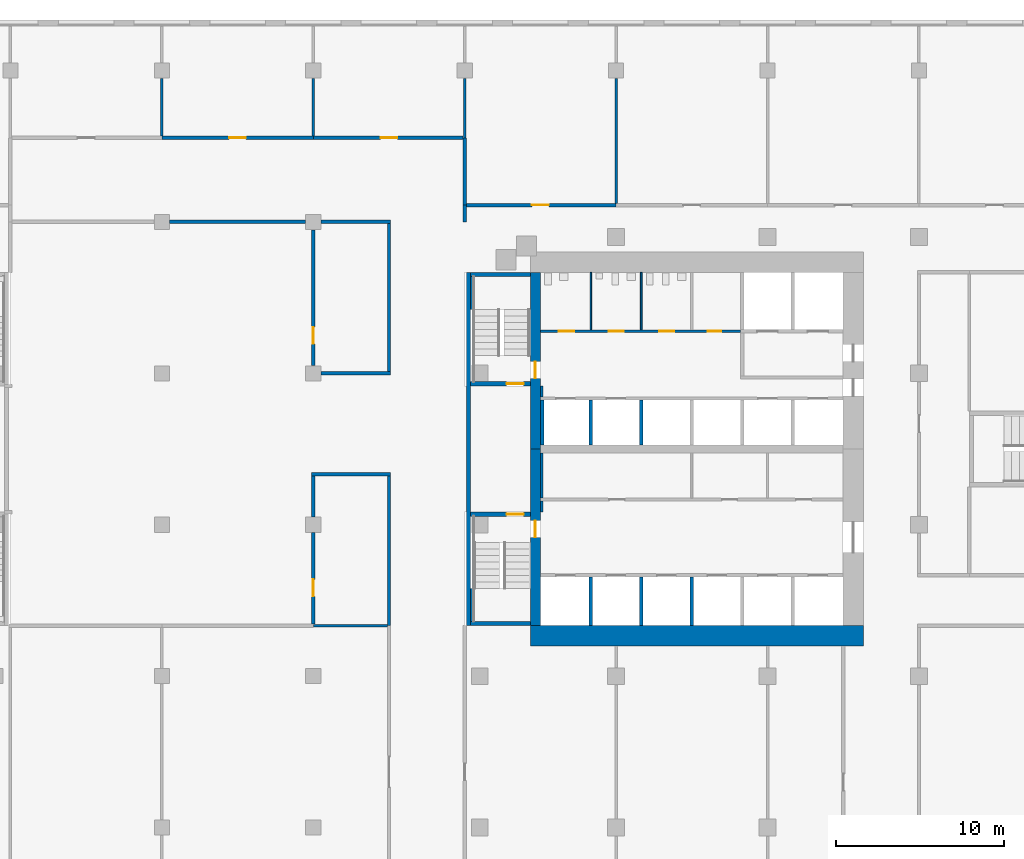
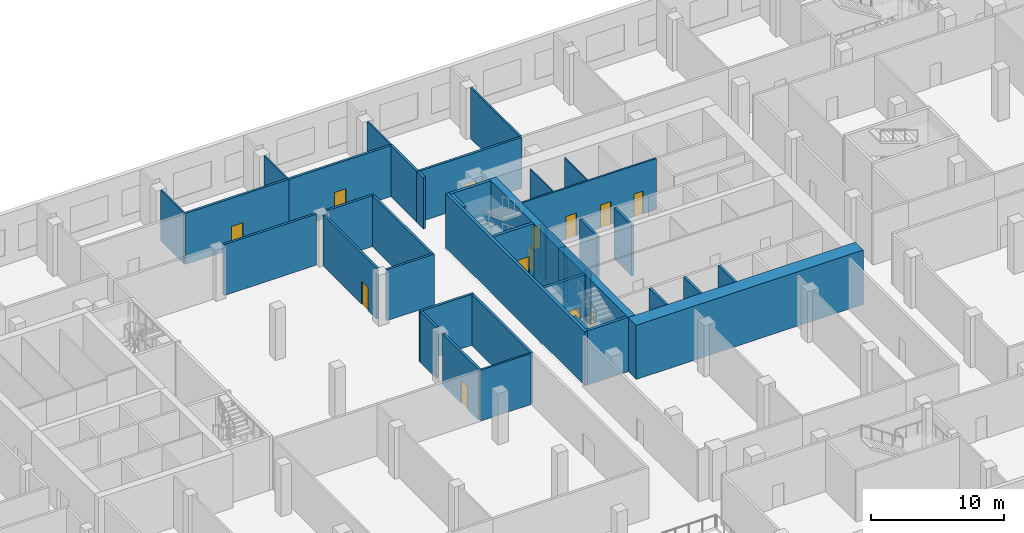
# One storey, part 12 of 23: 41 walls, 13 doors, 13 openings.
"""IFC4 building model written with IfcOpenShell, lengths in metres."""

from ifc_helpers import new_model, si_unit, direction, frame, frame_2d, origin, place, context, subcontext, project, spatial, rectangle, extrude, material, layer, layer_set, type_object, element, fill, save


model = new_model("IFC4")

# Units and contexts
model_context = context("Model", 3, precision=1e-05, world=origin(), true_north=direction((0.0, 1.0)))
body_context = subcontext(model_context, "Body", "Model", "MODEL_VIEW")
ifc_project = project(units=[si_unit("LENGTHUNIT", "METRE"), si_unit("AREAUNIT", "SQUARE_METRE"), si_unit("VOLUMEUNIT", "CUBIC_METRE"), si_unit("PLANEANGLEUNIT", "RADIAN"), si_unit("MASSUNIT", "GRAM", prefix="KILO")], contexts=[model_context])

# Site, building, storey
site_placement = place(None, origin())
site = spatial("IfcSite", under=ifc_project, at=site_placement, CompositionType="ELEMENT")
building_placement = place(site_placement, origin())
building = spatial("IfcBuilding", under=site, at=building_placement, Name="Cinnabar Reach Civic Tower", CompositionType="ELEMENT")
storey_placement = place(building_placement, frame((0.0, 0.0, 6.0)))
storey = spatial("IfcBuildingStorey", under=building, at=storey_placement, Name="L01", CompositionType="ELEMENT", Elevation=6.0)

# Wall
ifc_material_1 = material(Name="Concrete C70", Category="concrete")
ifc_layer_1 = layer(ifc_material_1, 1.2)
ifc_layer_set_1 = layer_set([ifc_layer_1], Name="Core wall 1200 EI 180")
wall_type_1 = type_object("IfcWallType", Name="Core wall 1200 EI 180", PredefinedType="SOLIDWALL", material=ifc_layer_set_1)
wall_1_placement = place(storey_placement, frame((3.9, 20.4, 0.0), z_axis=(0.0, 0.0, 1.0), x_axis=(1.0, 0.0, 0.0)))
element("IfcWall", 1, at=wall_1_placement, inside=storey, type_object=wall_type_1, Name="Core wall T1 L01 S", PredefinedType="SOLIDWALL", context=body_context, shape_type="SweptSolid", body=[
    extrude(rectangle(XDim=19.8, YDim=1.2, at=frame_2d((9.9, 0.0))), origin(), (0.0, 0.0, 1.0), 5.0),
])

# Wall, opening, door
ifc_layer_2 = layer(ifc_material_1, 0.6)
ifc_layer_set_2 = layer_set([ifc_layer_2], Name="Core wall 600 EI 180")
wall_type_2 = type_object("IfcWallType", Name="Core wall 600 EI 180", PredefinedType="SOLIDWALL", material=ifc_layer_set_2)
wall_2_placement = place(storey_placement, frame((4.2, 42.0, 0.0), z_axis=(0.0, 0.0, 1.0), x_axis=(0.0, -1.0, 0.0)))
wall_2 = element("IfcWall", 2, at=wall_2_placement, inside=storey, type_object=wall_type_2, Name="Core wall T1 L01 W", PredefinedType="SOLIDWALL", context=body_context, shape_type="SweptSolid", body=[
    extrude(rectangle(XDim=10.5, YDim=0.6, at=frame_2d((5.25, 0.0))), origin(), (0.0, 0.0, 1.0), 5.0),
])
opening_1_placement = place(wall_2_placement, frame((5.3, 0.0, 0.0)))
opening_1 = element("IfcOpeningElement", 3, at=opening_1_placement, cuts=wall_2, Name="Opening D3088", PredefinedType="OPENING", context=body_context, shape_type="SweptSolid", body=[
    extrude(rectangle(XDim=1.0, YDim=2.1, at=frame_2d((0.5, 1.05))), frame((0.0, 0.31, 0.0), z_axis=(0.0, -1.0, 0.0), x_axis=(1.0, 0.0, 0.0)), (0.0, 0.0, 1.0), 0.62),
])
ifc_material_2 = material(Name="Timber door leaf in steel frame", Category="steel")
door_type_1 = type_object("IfcDoorType", Name="Stair door 1000 x 2100 T1", OperationType="SINGLE_SWING_LEFT", PredefinedType="DOOR", material=ifc_material_2)
door_1_placement = place(opening_1_placement, frame((1.0, 0.0, 0.0), z_axis=(0.0, 0.0, 1.0), x_axis=(-1.0, 0.0, 0.0)))
door_1 = element("IfcDoor", 4, at=door_1_placement, inside=storey, type_object=door_type_1, Name="Door D3088", OperationType="SINGLE_SWING_LEFT", OverallHeight=2.1, OverallWidth=1.0, PredefinedType="DOOR", context=body_context, shape_type="SweptSolid", body=[
    extrude(rectangle(XDim=1.0, YDim=2.1, at=frame_2d((0.5, 1.05))), frame((0.0, 0.025, 0.0), z_axis=(0.0, -1.0, 0.0), x_axis=(1.0, 0.0, 0.0)), (0.0, 0.0, 1.0), 0.05),
])
fill(opening_1, door_1)

wall_3_placement = place(storey_placement, frame((4.2, 31.5, 0.0), z_axis=(0.0, 0.0, 1.0), x_axis=(0.0, -1.0, 0.0)))
wall_3 = element("IfcWall", 5, at=wall_3_placement, inside=storey, type_object=wall_type_2, Name="Core wall T1 L01 W2", PredefinedType="SOLIDWALL", context=body_context, shape_type="SweptSolid", body=[
    extrude(rectangle(XDim=10.5, YDim=0.6, at=frame_2d((5.25, 0.0))), origin(), (0.0, 0.0, 1.0), 5.0),
])
opening_2_placement = place(wall_3_placement, frame((4.25, 0.0, 0.0)))
opening_2 = element("IfcOpeningElement", 6, at=opening_2_placement, cuts=wall_3, Name="Opening D3086", PredefinedType="OPENING", context=body_context, shape_type="SweptSolid", body=[
    extrude(rectangle(XDim=1.0, YDim=2.1, at=frame_2d((0.5, 1.05))), frame((0.0, 0.31, 0.0), z_axis=(0.0, -1.0, 0.0), x_axis=(1.0, 0.0, 0.0)), (0.0, 0.0, 1.0), 0.62),
])
door_2_placement = place(opening_2_placement, frame((1.0, 0.0, 0.0), z_axis=(0.0, 0.0, 1.0), x_axis=(-1.0, 0.0, 0.0)))
door_2 = element("IfcDoor", 7, at=door_2_placement, inside=storey, type_object=door_type_1, Name="Door D3086", OperationType="SINGLE_SWING_RIGHT", OverallHeight=2.1, OverallWidth=1.0, PredefinedType="DOOR", context=body_context, shape_type="SweptSolid", body=[
    extrude(rectangle(XDim=1.0, YDim=2.1, at=frame_2d((0.5, 1.05))), frame((0.0, 0.025, 0.0), z_axis=(0.0, -1.0, 0.0), x_axis=(1.0, 0.0, 0.0)), (0.0, 0.0, 1.0), 0.05),
])
fill(opening_2, door_2)

# Wall, openings, doors
ifc_material_3 = material(Name="Gypsum board on steel studs, double layer", Category="steel")
ifc_layer_3 = layer(ifc_material_3, 0.15)
ifc_layer_set_3 = layer_set([ifc_layer_3], Name="Corridor wall 150 T1")
wall_type_3 = type_object("IfcWallType", Name="Corridor wall 150 T1", PredefinedType="PARTITIONING", material=ifc_layer_set_3)
wall_4_placement = place(storey_placement, frame((4.5, 38.5, 0.0), z_axis=(0.0, 0.0, 1.0), x_axis=(1.0, 0.0, 0.0)))
wall_4 = element("IfcWall", 8, at=wall_4_placement, inside=storey, type_object=wall_type_3, Name="Corridor wall 20", PredefinedType="PARTITIONING", context=body_context, shape_type="SweptSolid", body=[
    extrude(rectangle(XDim=11.9, YDim=0.15, at=frame_2d((5.95, 0.0))), origin(), (0.0, 0.0, 1.0), 4.7),
])
opening_3_placement = place(wall_4_placement, frame((1.1, 0.0, 0.0)))
opening_3 = element("IfcOpeningElement", 9, at=opening_3_placement, cuts=wall_4, Name="Opening D3108", PredefinedType="OPENING", context=body_context, shape_type="SweptSolid", body=[
    extrude(rectangle(XDim=0.9, YDim=2.1, at=frame_2d((0.45, 1.05))), frame((0.0, 0.085, 0.0), z_axis=(0.0, -1.0, 0.0), x_axis=(1.0, 0.0, 0.0)), (0.0, 0.0, 1.0), 0.17),
])
opening_4_placement = place(wall_4_placement, frame((4.05, 0.0, 0.0)))
opening_4 = element("IfcOpeningElement", 10, at=opening_4_placement, cuts=wall_4, Name="Opening D3109", PredefinedType="OPENING", context=body_context, shape_type="SweptSolid", body=[
    extrude(rectangle(XDim=0.9, YDim=2.1, at=frame_2d((0.45, 1.05))), frame((0.0, 0.085, 0.0), z_axis=(0.0, -1.0, 0.0), x_axis=(1.0, 0.0, 0.0)), (0.0, 0.0, 1.0), 0.17),
])
opening_5_placement = place(wall_4_placement, frame((7.05, 0.0, 0.0)))
opening_5 = element("IfcOpeningElement", 11, at=opening_5_placement, cuts=wall_4, Name="Opening D3110", PredefinedType="OPENING", context=body_context, shape_type="SweptSolid", body=[
    extrude(rectangle(XDim=0.9, YDim=2.1, at=frame_2d((0.45, 1.05))), frame((0.0, 0.085, 0.0), z_axis=(0.0, -1.0, 0.0), x_axis=(1.0, 0.0, 0.0)), (0.0, 0.0, 1.0), 0.17),
])
opening_6_placement = place(wall_4_placement, frame((9.95, 0.0, 0.0)))
opening_6 = element("IfcOpeningElement", 12, at=opening_6_placement, cuts=wall_4, Name="Opening D3111", PredefinedType="OPENING", context=body_context, shape_type="SweptSolid", body=[
    extrude(rectangle(XDim=0.8, YDim=2.1, at=frame_2d((0.4, 1.05))), frame((0.0, 0.085, 0.0), z_axis=(0.0, -1.0, 0.0), x_axis=(1.0, 0.0, 0.0)), (0.0, 0.0, 1.0), 0.17),
])
door_type_2 = type_object("IfcDoorType", Name="Riser access door 800 x 2100 T1", OperationType="SINGLE_SWING_LEFT", PredefinedType="DOOR", material=ifc_material_2)
door_3_placement = place(opening_6_placement, origin())
door_3 = element("IfcDoor", 13, at=door_3_placement, inside=storey, type_object=door_type_2, Name="Door D3111", OperationType="SINGLE_SWING_RIGHT", OverallHeight=2.1, OverallWidth=0.8, PredefinedType="DOOR", context=body_context, shape_type="SweptSolid", body=[
    extrude(rectangle(XDim=0.8, YDim=2.1, at=frame_2d((0.4, 1.05))), frame((0.0, 0.025, 0.0), z_axis=(0.0, -1.0, 0.0), x_axis=(1.0, 0.0, 0.0)), (0.0, 0.0, 1.0), 0.05),
])
fill(opening_6, door_3)
door_type_3 = type_object("IfcDoorType", Name="Single swing door 900 x 2100 corridor T1", OperationType="SINGLE_SWING_LEFT", PredefinedType="DOOR", material=ifc_material_2)
door_4_placement = place(opening_3_placement, origin())
door_4 = element("IfcDoor", 14, at=door_4_placement, inside=storey, type_object=door_type_3, Name="Door D3108", OperationType="SINGLE_SWING_LEFT", OverallHeight=2.1, OverallWidth=0.9, PredefinedType="DOOR", context=body_context, shape_type="SweptSolid", body=[
    extrude(rectangle(XDim=0.9, YDim=2.1, at=frame_2d((0.45, 1.05))), frame((0.0, 0.025, 0.0), z_axis=(0.0, -1.0, 0.0), x_axis=(1.0, 0.0, 0.0)), (0.0, 0.0, 1.0), 0.05),
])
fill(opening_3, door_4)
door_5_placement = place(opening_4_placement, origin())
door_5 = element("IfcDoor", 15, at=door_5_placement, inside=storey, type_object=door_type_3, Name="Door D3109", OperationType="SINGLE_SWING_LEFT", OverallHeight=2.1, OverallWidth=0.9, PredefinedType="DOOR", context=body_context, shape_type="SweptSolid", body=[
    extrude(rectangle(XDim=0.9, YDim=2.1, at=frame_2d((0.45, 1.05))), frame((0.0, 0.025, 0.0), z_axis=(0.0, -1.0, 0.0), x_axis=(1.0, 0.0, 0.0)), (0.0, 0.0, 1.0), 0.05),
])
fill(opening_4, door_5)
door_6_placement = place(opening_5_placement, origin())
door_6 = element("IfcDoor", 16, at=door_6_placement, inside=storey, type_object=door_type_3, Name="Door D3110", OperationType="SINGLE_SWING_RIGHT", OverallHeight=2.1, OverallWidth=0.9, PredefinedType="DOOR", context=body_context, shape_type="SweptSolid", body=[
    extrude(rectangle(XDim=0.9, YDim=2.1, at=frame_2d((0.45, 1.05))), frame((0.0, 0.025, 0.0), z_axis=(0.0, -1.0, 0.0), x_axis=(1.0, 0.0, 0.0)), (0.0, 0.0, 1.0), 0.05),
])
fill(opening_5, door_6)

# Walls
wall_5_placement = place(storey_placement, frame((4.575, 27.75, 0.0), z_axis=(0.0, 0.0, 1.0), x_axis=(0.0, 1.0, 0.0)))
element("IfcWall", 17, at=wall_5_placement, inside=storey, type_object=wall_type_3, Name="Corridor wall 21", PredefinedType="PARTITIONING", context=body_context, shape_type="SweptSolid", body=[
    extrude(rectangle(XDim=0.675, YDim=0.15, at=frame_2d((0.3375, 0.0))), origin(), (0.0, 0.0, 1.0), 4.7),
])
wall_6_placement = place(storey_placement, frame((4.575, 28.575, 0.0), z_axis=(0.0, 0.0, 1.0), x_axis=(0.0, 1.0, 0.0)))
element("IfcWall", 18, at=wall_6_placement, inside=storey, type_object=wall_type_3, Name="Corridor wall 22", PredefinedType="PARTITIONING", context=body_context, shape_type="SweptSolid", body=[
    extrude(rectangle(XDim=2.675, YDim=0.15, at=frame_2d((1.3375, 0.0))), origin(), (0.0, 0.0, 1.0), 4.7),
])
wall_7_placement = place(storey_placement, frame((4.575, 34.6, 0.0), z_axis=(0.0, 0.0, 1.0), x_axis=(0.0, 1.0, 0.0)))
element("IfcWall", 19, at=wall_7_placement, inside=storey, type_object=wall_type_3, Name="Corridor wall 23", PredefinedType="PARTITIONING", context=body_context, shape_type="SweptSolid", body=[
    extrude(rectangle(XDim=0.65, YDim=0.15, at=frame_2d((0.325, 0.0))), origin(), (0.0, 0.0, 1.0), 4.7),
])
ifc_material_4 = material(Name="Blockwork", Category="masonry")
ifc_layer_4 = layer(ifc_material_4, 0.2)
ifc_layer_set_4 = layer_set([ifc_layer_4], Name="Lift shaft wall 200 T1")
wall_type_4 = type_object("IfcWallType", Name="Lift shaft wall 200 T1", PredefinedType="PARTITIONING", material=ifc_layer_set_4)
wall_8_placement = place(storey_placement, frame((4.6, 31.75, 0.0), z_axis=(0.0, 0.0, 1.0), x_axis=(0.0, 1.0, 0.0)))
element("IfcWall", 20, at=wall_8_placement, inside=storey, type_object=wall_type_4, Name="Lift shaft wall 8", PredefinedType="PARTITIONING", context=body_context, shape_type="SweptSolid", body=[
    extrude(rectangle(XDim=2.65, YDim=0.2, at=frame_2d((1.325, 0.0))), origin(), (0.0, 0.0, 1.0), 4.7),
])
wall_9_placement = place(storey_placement, frame((7.5, 21.0, 0.0), z_axis=(0.0, 0.0, 1.0), x_axis=(0.0, 1.0, 0.0)))
element("IfcWall", 21, at=wall_9_placement, inside=storey, type_object=wall_type_4, Name="Lift shaft wall 9", PredefinedType="PARTITIONING", context=body_context, shape_type="SweptSolid", body=[
    extrude(rectangle(XDim=2.9, YDim=0.2, at=frame_2d((1.45, 0.0))), origin(), (0.0, 0.0, 1.0), 4.7),
])
wall_10_placement = place(storey_placement, frame((7.5, 31.75, 0.0), z_axis=(0.0, 0.0, 1.0), x_axis=(0.0, 1.0, 0.0)))
element("IfcWall", 22, at=wall_10_placement, inside=storey, type_object=wall_type_4, Name="Lift shaft wall 10", PredefinedType="PARTITIONING", context=body_context, shape_type="SweptSolid", body=[
    extrude(rectangle(XDim=2.65, YDim=0.2, at=frame_2d((1.325, 0.0))), origin(), (0.0, 0.0, 1.0), 4.7),
])
wall_11_placement = place(storey_placement, frame((10.5, 21.0, 0.0), z_axis=(0.0, 0.0, 1.0), x_axis=(0.0, 1.0, 0.0)))
element("IfcWall", 23, at=wall_11_placement, inside=storey, type_object=wall_type_4, Name="Lift shaft wall 11", PredefinedType="PARTITIONING", context=body_context, shape_type="SweptSolid", body=[
    extrude(rectangle(XDim=2.9, YDim=0.2, at=frame_2d((1.45, 0.0))), origin(), (0.0, 0.0, 1.0), 4.7),
])
wall_12_placement = place(storey_placement, frame((10.5, 31.75, 0.0), z_axis=(0.0, 0.0, 1.0), x_axis=(0.0, 1.0, 0.0)))
element("IfcWall", 24, at=wall_12_placement, inside=storey, type_object=wall_type_4, Name="Lift shaft wall 12", PredefinedType="PARTITIONING", context=body_context, shape_type="SweptSolid", body=[
    extrude(rectangle(XDim=2.65, YDim=0.2, at=frame_2d((1.325, 0.0))), origin(), (0.0, 0.0, 1.0), 4.7),
])
wall_13_placement = place(storey_placement, frame((13.5, 21.0, 0.0), z_axis=(0.0, 0.0, 1.0), x_axis=(0.0, 1.0, 0.0)))
element("IfcWall", 25, at=wall_13_placement, inside=storey, type_object=wall_type_4, Name="Lift shaft wall 13", PredefinedType="PARTITIONING", context=body_context, shape_type="SweptSolid", body=[
    extrude(rectangle(XDim=2.9, YDim=0.2, at=frame_2d((1.45, 0.0))), origin(), (0.0, 0.0, 1.0), 4.7),
])
ifc_material_5 = material(Name="Gypsum board on steel studs", Category="steel")
ifc_layer_5 = layer(ifc_material_5, 0.1)
ifc_layer_set_5 = layer_set([ifc_layer_5], Name="Partition wall 100 T1")
wall_type_5 = type_object("IfcWallType", Name="Partition wall 100 T1", PredefinedType="PARTITIONING", material=ifc_layer_set_5)
for number, where, z_axis, x_axis, name in (
    (26, (7.5, 38.575, 0.0), (0.0, 0.0, 1.0), (0.0, 1.0, 0.0), "Partition wall 25"),
    (27, (10.5, 38.575, 0.0), (0.0, 0.0, 1.0), (0.0, 1.0, 0.0), "Partition wall 26"),
):
    element("IfcWall", number, at=place(storey_placement, frame(where, z_axis=z_axis, x_axis=x_axis)), inside=storey, type_object=wall_type_5, Name=name, PredefinedType="PARTITIONING", context=body_context, shape_type="SweptSolid", body=[
        extrude(rectangle(XDim=3.425, YDim=0.1, at=frame_2d((1.7125, 0.0))), origin(), (0.0, 0.0, 1.0), 4.7),
    ])
ifc_material_6 = material(Name="Concrete blockwork", Category="masonry")
ifc_layer_6 = layer(ifc_material_6, 0.2)
ifc_layer_set_6 = layer_set([ifc_layer_6], Name="Podium masonry corridor wall 200 EI 120")
wall_type_6 = type_object("IfcWallType", Name="Podium masonry corridor wall 200 EI 120", PredefinedType="PARTITIONING", material=ifc_layer_set_6)
wall_14_placement = place(storey_placement, frame((0.0, 45.0, 0.0), z_axis=(0.0, 0.0, 1.0), x_axis=(0.0, 1.0, 0.0)))
element("IfcWall", 28, at=wall_14_placement, inside=storey, type_object=wall_type_6, Name="Wall L01 98", PredefinedType="PARTITIONING", context=body_context, shape_type="SweptSolid", body=[
    extrude(rectangle(XDim=1.0, YDim=0.2, at=frame_2d((0.5, 0.0))), origin(), (0.0, 0.0, 1.0), 4.7),
])

# Wall, opening, door
wall_15_placement = place(storey_placement, frame((0.1, 46.0, 0.0), z_axis=(0.0, 0.0, 1.0), x_axis=(1.0, 0.0, 0.0)))
wall_15 = element("IfcWall", 29, at=wall_15_placement, inside=storey, type_object=wall_type_6, Name="Wall L01 104", PredefinedType="PARTITIONING", context=body_context, shape_type="SweptSolid", body=[
    extrude(rectangle(XDim=8.9, YDim=0.2, at=frame_2d((4.45, 0.0))), origin(), (0.0, 0.0, 1.0), 4.7),
])
opening_7_placement = place(wall_15_placement, frame((3.9, 0.0, 0.0)))
opening_7 = element("IfcOpeningElement", 30, at=opening_7_placement, cuts=wall_15, Name="Opening D1088", PredefinedType="OPENING", context=body_context, shape_type="SweptSolid", body=[
    extrude(rectangle(XDim=1.0, YDim=2.1, at=frame_2d((0.5, 1.05))), frame((0.0, 0.11, 0.0), z_axis=(0.0, -1.0, 0.0), x_axis=(1.0, 0.0, 0.0)), (0.0, 0.0, 1.0), 0.22),
])
ifc_material_7 = material(Name="Painted steel door leaf", Category="steel")
door_type_4 = type_object("IfcDoorType", Name="Podium single door 1000x2100", OperationType="SINGLE_SWING_LEFT", PredefinedType="DOOR", material=ifc_material_7)
door_7_placement = place(opening_7_placement, origin())
door_7 = element("IfcDoor", 31, at=door_7_placement, inside=storey, type_object=door_type_4, Name="Door D1088", OperationType="SINGLE_SWING_LEFT", OverallHeight=2.1, OverallWidth=1.0, PredefinedType="DOOR", context=body_context, shape_type="SweptSolid", body=[
    extrude(rectangle(XDim=1.0, YDim=2.1, at=frame_2d((0.5, 1.05))), frame((0.0, 0.025, 0.0), z_axis=(0.0, -1.0, 0.0), x_axis=(1.0, 0.0, 0.0)), (0.0, 0.0, 1.0), 0.05),
])
fill(opening_7, door_7)

# Walls
wall_16_placement = place(storey_placement, frame((-4.5, 21.0, 0.0), z_axis=(0.0, 0.0, 1.0), x_axis=(0.0, 1.0, 0.0)))
element("IfcWall", 32, at=wall_16_placement, inside=storey, type_object=wall_type_6, Name="Wall L01 128", PredefinedType="PARTITIONING", context=body_context, shape_type="SweptSolid", body=[
    extrude(rectangle(XDim=8.9, YDim=0.2, at=frame_2d((4.45, 0.0))), origin(), (0.0, 0.0, 1.0), 4.7),
])
wall_17_placement = place(storey_placement, frame((-4.5, 36.1, 0.0), z_axis=(0.0, 0.0, 1.0), x_axis=(0.0, 1.0, 0.0)))
element("IfcWall", 33, at=wall_17_placement, inside=storey, type_object=wall_type_6, Name="Wall L01 129", PredefinedType="PARTITIONING", context=body_context, shape_type="SweptSolid", body=[
    extrude(rectangle(XDim=8.8, YDim=0.2, at=frame_2d((4.4, 0.0))), origin(), (0.0, 0.0, 1.0), 4.7),
])
wall_18_placement = place(storey_placement, frame((-9.1, 30.0, 0.0), z_axis=(0.0, 0.0, 1.0), x_axis=(1.0, 0.0, 0.0)))
element("IfcWall", 34, at=wall_18_placement, inside=storey, type_object=wall_type_6, Name="Wall L01 138", PredefinedType="PARTITIONING", context=body_context, shape_type="SweptSolid", body=[
    extrude(rectangle(XDim=4.7, YDim=0.2, at=frame_2d((2.35, 0.0))), origin(), (0.0, 0.0, 1.0), 4.7),
])

# Wall, opening, door
wall_19_placement = place(storey_placement, frame((-9.0, 21.1, 0.0), z_axis=(0.0, 0.0, 1.0), x_axis=(0.0, 1.0, 0.0)))
wall_19 = element("IfcWall", 35, at=wall_19_placement, inside=storey, type_object=wall_type_6, Name="Wall L01 139", PredefinedType="PARTITIONING", context=body_context, shape_type="SweptSolid", body=[
    extrude(rectangle(XDim=5.43, YDim=0.2, at=frame_2d((2.715, 0.0))), origin(), (0.0, 0.0, 1.0), 4.7),
])
opening_8_placement = place(wall_19_placement, frame((1.65, 0.0, 0.0)))
opening_8 = element("IfcOpeningElement", 36, at=opening_8_placement, cuts=wall_19, Name="Opening D1045", PredefinedType="OPENING", context=body_context, shape_type="SweptSolid", body=[
    extrude(rectangle(XDim=1.0, YDim=2.1, at=frame_2d((0.5, 1.05))), frame((0.0, 0.11, 0.0), z_axis=(0.0, -1.0, 0.0), x_axis=(1.0, 0.0, 0.0)), (0.0, 0.0, 1.0), 0.22),
])
door_8_placement = place(opening_8_placement, frame((1.0, 0.0, 0.0), z_axis=(0.0, 0.0, 1.0), x_axis=(-1.0, 0.0, 0.0)))
door_8 = element("IfcDoor", 37, at=door_8_placement, inside=storey, type_object=door_type_4, Name="Door D1045", OperationType="SINGLE_SWING_RIGHT", OverallHeight=2.1, OverallWidth=1.0, PredefinedType="DOOR", context=body_context, shape_type="SweptSolid", body=[
    extrude(rectangle(XDim=1.0, YDim=2.1, at=frame_2d((0.5, 1.05))), frame((0.0, 0.025, 0.0), z_axis=(0.0, -1.0, 0.0), x_axis=(1.0, 0.0, 0.0)), (0.0, 0.0, 1.0), 0.05),
])
fill(opening_8, door_8)

# Walls
wall_20_placement = place(storey_placement, frame((-9.0, 27.47, 0.0), z_axis=(0.0, 0.0, 1.0), x_axis=(0.0, 1.0, 0.0)))
element("IfcWall", 38, at=wall_20_placement, inside=storey, type_object=wall_type_6, Name="Wall L01 140", PredefinedType="PARTITIONING", context=body_context, shape_type="SweptSolid", body=[
    extrude(rectangle(XDim=2.43, YDim=0.2, at=frame_2d((1.215, 0.0))), origin(), (0.0, 0.0, 1.0), 4.7),
])
wall_21_placement = place(storey_placement, frame((-8.53, 36.0, 0.0), z_axis=(0.0, 0.0, 1.0), x_axis=(1.0, 0.0, 0.0)))
element("IfcWall", 39, at=wall_21_placement, inside=storey, type_object=wall_type_6, Name="Wall L01 141", PredefinedType="PARTITIONING", context=body_context, shape_type="SweptSolid", body=[
    extrude(rectangle(XDim=4.13, YDim=0.2, at=frame_2d((2.065, 0.0))), origin(), (0.0, 0.0, 1.0), 4.7),
])

# Wall, opening, door
wall_22_placement = place(storey_placement, frame((-9.0, 36.47, 0.0), z_axis=(0.0, 0.0, 1.0), x_axis=(0.0, 1.0, 0.0)))
wall_22 = element("IfcWall", 40, at=wall_22_placement, inside=storey, type_object=wall_type_6, Name="Wall L01 142", PredefinedType="PARTITIONING", context=body_context, shape_type="SweptSolid", body=[
    extrude(rectangle(XDim=8.06, YDim=0.2, at=frame_2d((4.03, 0.0))), origin(), (0.0, 0.0, 1.0), 4.7),
])
opening_9_placement = place(wall_22_placement, frame((1.28, 0.0, 0.0)))
opening_9 = element("IfcOpeningElement", 41, at=opening_9_placement, cuts=wall_22, Name="Opening D1046", PredefinedType="OPENING", context=body_context, shape_type="SweptSolid", body=[
    extrude(rectangle(XDim=1.0, YDim=2.1, at=frame_2d((0.5, 1.05))), frame((0.0, 0.11, 0.0), z_axis=(0.0, -1.0, 0.0), x_axis=(1.0, 0.0, 0.0)), (0.0, 0.0, 1.0), 0.22),
])
door_9_placement = place(opening_9_placement, frame((1.0, 0.0, 0.0), z_axis=(0.0, 0.0, 1.0), x_axis=(-1.0, 0.0, 0.0)))
door_9 = element("IfcDoor", 42, at=door_9_placement, inside=storey, type_object=door_type_4, Name="Door D1046", OperationType="SINGLE_SWING_LEFT", OverallHeight=2.1, OverallWidth=1.0, PredefinedType="DOOR", context=body_context, shape_type="SweptSolid", body=[
    extrude(rectangle(XDim=1.0, YDim=2.1, at=frame_2d((0.5, 1.05))), frame((0.0, 0.025, 0.0), z_axis=(0.0, -1.0, 0.0), x_axis=(1.0, 0.0, 0.0)), (0.0, 0.0, 1.0), 0.05),
])
fill(opening_9, door_9)

# Walls
wall_23_placement = place(storey_placement, frame((-8.53, 45.0, 0.0), z_axis=(0.0, 0.0, 1.0), x_axis=(1.0, 0.0, 0.0)))
element("IfcWall", 43, at=wall_23_placement, inside=storey, type_object=wall_type_6, Name="Wall L01 143", PredefinedType="PARTITIONING", context=body_context, shape_type="SweptSolid", body=[
    extrude(rectangle(XDim=4.13, YDim=0.2, at=frame_2d((2.065, 0.0))), origin(), (0.0, 0.0, 1.0), 4.7),
])
wall_24_placement = place(storey_placement, frame((-17.53, 45.0, 0.0), z_axis=(0.0, 0.0, 1.0), x_axis=(1.0, 0.0, 0.0)))
element("IfcWall", 44, at=wall_24_placement, inside=storey, type_object=wall_type_6, Name="Wall L01 145", PredefinedType="PARTITIONING", context=body_context, shape_type="SweptSolid", body=[
    extrude(rectangle(XDim=8.06, YDim=0.2, at=frame_2d((4.03, 0.0))), origin(), (0.0, 0.0, 1.0), 4.7),
])

# Wall, opening, door
wall_25_placement = place(storey_placement, frame((-18.0, 50.0, 0.0), z_axis=(0.0, 0.0, 1.0), x_axis=(1.0, 0.0, 0.0)))
wall_25 = element("IfcWall", 45, at=wall_25_placement, inside=storey, type_object=wall_type_6, Name="Wall L01 147", PredefinedType="PARTITIONING", context=body_context, shape_type="SweptSolid", body=[
    extrude(rectangle(XDim=9.0, YDim=0.2, at=frame_2d((4.5, 0.0))), origin(), (0.0, 0.0, 1.0), 4.7),
])
opening_10_placement = place(wall_25_placement, frame((4.0, 0.0, 0.0)))
opening_10 = element("IfcOpeningElement", 46, at=opening_10_placement, cuts=wall_25, Name="Opening D1048", PredefinedType="OPENING", context=body_context, shape_type="SweptSolid", body=[
    extrude(rectangle(XDim=1.0, YDim=2.1, at=frame_2d((0.5, 1.05))), frame((0.0, 0.11, 0.0), z_axis=(0.0, -1.0, 0.0), x_axis=(1.0, 0.0, 0.0)), (0.0, 0.0, 1.0), 0.22),
])
door_10_placement = place(opening_10_placement, origin())
door_10 = element("IfcDoor", 47, at=door_10_placement, inside=storey, type_object=door_type_4, Name="Door D1048", OperationType="SINGLE_SWING_LEFT", OverallHeight=2.1, OverallWidth=1.0, PredefinedType="DOOR", context=body_context, shape_type="SweptSolid", body=[
    extrude(rectangle(XDim=1.0, YDim=2.1, at=frame_2d((0.5, 1.05))), frame((0.0, 0.025, 0.0), z_axis=(0.0, -1.0, 0.0), x_axis=(1.0, 0.0, 0.0)), (0.0, 0.0, 1.0), 0.05),
])
fill(opening_10, door_10)

wall_26_placement = place(storey_placement, frame((-9.0, 50.0, 0.0), z_axis=(0.0, 0.0, 1.0), x_axis=(1.0, 0.0, 0.0)))
wall_26 = element("IfcWall", 48, at=wall_26_placement, inside=storey, type_object=wall_type_6, Name="Wall L01 148", PredefinedType="PARTITIONING", context=body_context, shape_type="SweptSolid", body=[
    extrude(rectangle(XDim=8.9, YDim=0.2, at=frame_2d((4.45, 0.0))), origin(), (0.0, 0.0, 1.0), 4.7),
])
opening_11_placement = place(wall_26_placement, frame((4.0, 0.0, 0.0)))
opening_11 = element("IfcOpeningElement", 49, at=opening_11_placement, cuts=wall_26, Name="Opening D1049", PredefinedType="OPENING", context=body_context, shape_type="SweptSolid", body=[
    extrude(rectangle(XDim=1.0, YDim=2.1, at=frame_2d((0.5, 1.05))), frame((0.0, 0.11, 0.0), z_axis=(0.0, -1.0, 0.0), x_axis=(1.0, 0.0, 0.0)), (0.0, 0.0, 1.0), 0.22),
])
door_11_placement = place(opening_11_placement, frame((1.0, 0.0, 0.0), z_axis=(0.0, 0.0, 1.0), x_axis=(-1.0, 0.0, 0.0)))
door_11 = element("IfcDoor", 50, at=door_11_placement, inside=storey, type_object=door_type_4, Name="Door D1049", OperationType="SINGLE_SWING_RIGHT", OverallHeight=2.1, OverallWidth=1.0, PredefinedType="DOOR", context=body_context, shape_type="SweptSolid", body=[
    extrude(rectangle(XDim=1.0, YDim=2.1, at=frame_2d((0.5, 1.05))), frame((0.0, 0.025, 0.0), z_axis=(0.0, -1.0, 0.0), x_axis=(1.0, 0.0, 0.0)), (0.0, 0.0, 1.0), 0.05),
])
fill(opening_11, door_11)

# Walls
wall_27_placement = place(storey_placement, frame((0.0, 46.0, 0.0), z_axis=(0.0, 0.0, 1.0), x_axis=(0.0, 1.0, 0.0)))
element("IfcWall", 51, at=wall_27_placement, inside=storey, type_object=wall_type_6, Name="Wall L01 150", PredefinedType="PARTITIONING", context=body_context, shape_type="SweptSolid", body=[
    extrude(rectangle(XDim=4.0, YDim=0.2, at=frame_2d((2.0, 0.0))), origin(), (0.0, 0.0, 1.0), 4.7),
])
ifc_layer_7 = layer(ifc_material_5, 0.15)
ifc_layer_set_7 = layer_set([ifc_layer_7], Name="Podium partition wall 150 EI 90")
wall_type_7 = type_object("IfcWallType", Name="Podium partition wall 150 EI 90", PredefinedType="PARTITIONING", material=ifc_layer_set_7)
wall_28_placement = place(storey_placement, frame((-9.0, 21.0, 0.0), z_axis=(0.0, 0.0, 1.0), x_axis=(1.0, 0.0, 0.0)))
element("IfcWall", 52, at=wall_28_placement, inside=storey, type_object=wall_type_7, Name="Wall L01 136", PredefinedType="PARTITIONING", context=body_context, shape_type="SweptSolid", body=[
    extrude(rectangle(XDim=4.4, YDim=0.15, at=frame_2d((2.2, 0.0))), origin(), (0.0, 0.0, 1.0), 4.7),
])
for number, where, z_axis, x_axis, name in (
    (53, (-18.0, 50.1, 0.0), (0.0, 0.0, 1.0), (0.0, 1.0, 0.0), "Wall L01 151"),
    (54, (-9.0, 50.1, 0.0), (0.0, 0.0, 1.0), (0.0, 1.0, 0.0), "Wall L01 155"),
):
    element("IfcWall", number, at=place(storey_placement, frame(where, z_axis=z_axis, x_axis=x_axis)), inside=storey, type_object=wall_type_7, Name=name, PredefinedType="PARTITIONING", context=body_context, shape_type="SweptSolid", body=[
        extrude(rectangle(XDim=3.43, YDim=0.15, at=frame_2d((1.715, 0.0))), origin(), (0.0, 0.0, 1.0), 4.7),
    ])
wall_29_placement = place(storey_placement, frame((0.0, 50.0, 0.0), z_axis=(0.0, 0.0, 1.0), x_axis=(0.0, 1.0, 0.0)))
element("IfcWall", 55, at=wall_29_placement, inside=storey, type_object=wall_type_7, Name="Wall L01 157", PredefinedType="PARTITIONING", context=body_context, shape_type="SweptSolid", body=[
    extrude(rectangle(XDim=3.53, YDim=0.15, at=frame_2d((1.765, 0.0))), origin(), (0.0, 0.0, 1.0), 4.7),
])
wall_30_placement = place(storey_placement, frame((9.0, 46.1, 0.0), z_axis=(0.0, 0.0, 1.0), x_axis=(0.0, 1.0, 0.0)))
element("IfcWall", 56, at=wall_30_placement, inside=storey, type_object=wall_type_7, Name="Wall L01 221", PredefinedType="PARTITIONING", context=body_context, shape_type="SweptSolid", body=[
    extrude(rectangle(XDim=7.43, YDim=0.15, at=frame_2d((3.715, 0.0))), origin(), (0.0, 0.0, 1.0), 4.7),
])
ifc_material_8 = material(Name="Concrete C60", Category="concrete")
ifc_layer_8 = layer(ifc_material_8, 0.25)
ifc_layer_set_8 = layer_set([ifc_layer_8], Name="Stair shaft wall 250 EI 120")
wall_type_8 = type_object("IfcWallType", Name="Stair shaft wall 250 EI 120", PredefinedType="SOLIDWALL", material=ifc_layer_set_8)
wall_31_placement = place(storey_placement, frame((0.36, 21.125, 0.0), z_axis=(0.0, 0.0, 1.0), x_axis=(1.0, 0.0, 0.0)))
element("IfcWall", 57, at=wall_31_placement, inside=storey, type_object=wall_type_8, Name="Stair shaft wall T1-S1 L01", PredefinedType="SOLIDWALL", context=body_context, shape_type="SweptSolid", body=[
    extrude(rectangle(XDim=3.54, YDim=0.25, at=frame_2d((1.77, 0.0))), origin(), (0.0, 0.0, 1.0), 5.0),
])

# Wall, opening, door
wall_32_placement = place(storey_placement, frame((3.9, 27.625, 0.0), z_axis=(0.0, 0.0, 1.0), x_axis=(-1.0, 0.0, 0.0)))
wall_32 = element("IfcWall", 58, at=wall_32_placement, inside=storey, type_object=wall_type_8, Name="Stair shaft wall T1-S1 L01", PredefinedType="SOLIDWALL", context=body_context, shape_type="SweptSolid", body=[
    extrude(rectangle(XDim=3.54, YDim=0.25, at=frame_2d((1.77, 0.0))), origin(), (0.0, 0.0, 1.0), 5.0),
])
opening_12_placement = place(wall_32_placement, frame((0.4, 0.0, 0.0)))
opening_12 = element("IfcOpeningElement", 59, at=opening_12_placement, cuts=wall_32, Name="Opening D3087", PredefinedType="OPENING", context=body_context, shape_type="SweptSolid", body=[
    extrude(rectangle(XDim=1.0, YDim=2.1, at=frame_2d((0.5, 1.05))), frame((0.0, 0.135, 0.0), z_axis=(0.0, -1.0, 0.0), x_axis=(1.0, 0.0, 0.0)), (0.0, 0.0, 1.0), 0.27),
])
door_12_placement = place(opening_12_placement, origin())
door_12 = element("IfcDoor", 60, at=door_12_placement, inside=storey, type_object=door_type_1, Name="Door D3087", OperationType="SINGLE_SWING_LEFT", OverallHeight=2.1, OverallWidth=1.0, PredefinedType="DOOR", context=body_context, shape_type="SweptSolid", body=[
    extrude(rectangle(XDim=1.0, YDim=2.1, at=frame_2d((0.5, 1.05))), frame((0.0, 0.025, 0.0), z_axis=(0.0, -1.0, 0.0), x_axis=(1.0, 0.0, 0.0)), (0.0, 0.0, 1.0), 0.05),
])
fill(opening_12, door_12)

wall_33_placement = place(storey_placement, frame((0.36, 35.375, 0.0), z_axis=(0.0, 0.0, 1.0), x_axis=(1.0, 0.0, 0.0)))
wall_33 = element("IfcWall", 61, at=wall_33_placement, inside=storey, type_object=wall_type_8, Name="Stair shaft wall T1-S2 L01", PredefinedType="SOLIDWALL", context=body_context, shape_type="SweptSolid", body=[
    extrude(rectangle(XDim=3.54, YDim=0.25, at=frame_2d((1.77, 0.0))), origin(), (0.0, 0.0, 1.0), 5.0),
])
opening_13_placement = place(wall_33_placement, frame((2.14, 0.0, 0.0)))
opening_13 = element("IfcOpeningElement", 62, at=opening_13_placement, cuts=wall_33, Name="Opening D3089", PredefinedType="OPENING", context=body_context, shape_type="SweptSolid", body=[
    extrude(rectangle(XDim=1.0, YDim=2.1, at=frame_2d((0.5, 1.05))), frame((0.0, 0.135, 0.0), z_axis=(0.0, -1.0, 0.0), x_axis=(1.0, 0.0, 0.0)), (0.0, 0.0, 1.0), 0.27),
])
door_13_placement = place(opening_13_placement, origin())
door_13 = element("IfcDoor", 63, at=door_13_placement, inside=storey, type_object=door_type_1, Name="Door D3089", OperationType="SINGLE_SWING_RIGHT", OverallHeight=2.1, OverallWidth=1.0, PredefinedType="DOOR", context=body_context, shape_type="SweptSolid", body=[
    extrude(rectangle(XDim=1.0, YDim=2.1, at=frame_2d((0.5, 1.05))), frame((0.0, 0.025, 0.0), z_axis=(0.0, -1.0, 0.0), x_axis=(1.0, 0.0, 0.0)), (0.0, 0.0, 1.0), 0.05),
])
fill(opening_13, door_13)

# Walls
wall_34_placement = place(storey_placement, frame((3.9, 41.875, 0.0), z_axis=(0.0, 0.0, 1.0), x_axis=(-1.0, 0.0, 0.0)))
element("IfcWall", 64, at=wall_34_placement, inside=storey, type_object=wall_type_8, Name="Stair shaft wall T1-S2 L01", PredefinedType="SOLIDWALL", context=body_context, shape_type="SweptSolid", body=[
    extrude(rectangle(XDim=3.54, YDim=0.25, at=frame_2d((1.77, 0.0))), origin(), (0.0, 0.0, 1.0), 5.0),
])
wall_35_placement = place(storey_placement, frame((0.235, 21.0, 0.0), z_axis=(0.0, 0.0, 1.0), x_axis=(0.0, 1.0, 0.0)))
element("IfcWall", 65, at=wall_35_placement, inside=storey, type_object=wall_type_8, Name="Stair shaft wall T1-STRIP L01", PredefinedType="SOLIDWALL", context=body_context, shape_type="SweptSolid", body=[
    extrude(rectangle(XDim=21.0, YDim=0.25, at=frame_2d((10.5, 0.0))), origin(), (0.0, 0.0, 1.0), 5.0),
])
ifc_material_9 = material(Name="Concrete C40/50", Category="concrete")
ifc_layer_9 = layer(ifc_material_9, 0.24)
ifc_layer_set_9 = layer_set([ifc_layer_9], Name="T1 landing bearer wall 240")
wall_type_9 = type_object("IfcWallType", Name="T1 landing bearer wall 240", PredefinedType="STANDARD", material=ifc_layer_set_9)
for number, where, z_axis, x_axis, name in (
    (66, (0.48, 21.25, 0.0), (0.0, 0.0, 1.0), (0.0, 1.0, 0.0), "T1-S1 landing bearer wall"),
    (67, (0.48, 39.795, 0.0), (0.0, 0.0, 1.0), (0.0, 1.0, 0.0), "T1-S2 landing bearer wall"),
):
    element("IfcWall", number, at=place(storey_placement, frame(where, z_axis=z_axis, x_axis=x_axis)), inside=storey, type_object=wall_type_9, Name=name, PredefinedType="STANDARD", context=body_context, shape_type="SweptSolid", body=[
        extrude(rectangle(XDim=1.955, YDim=0.24, at=frame_2d((0.9775, 0.0))), origin(), (0.0, 0.0, 1.0), 5.0),
    ])

save(model, "model.ifc")
